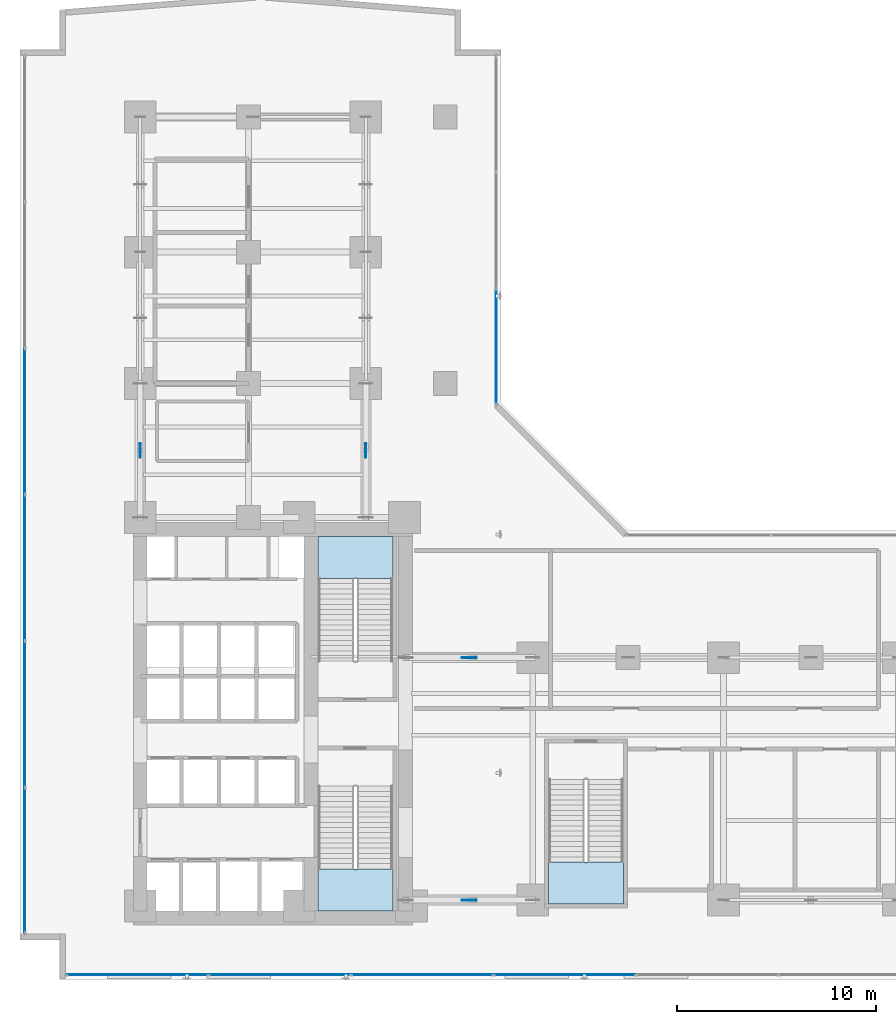
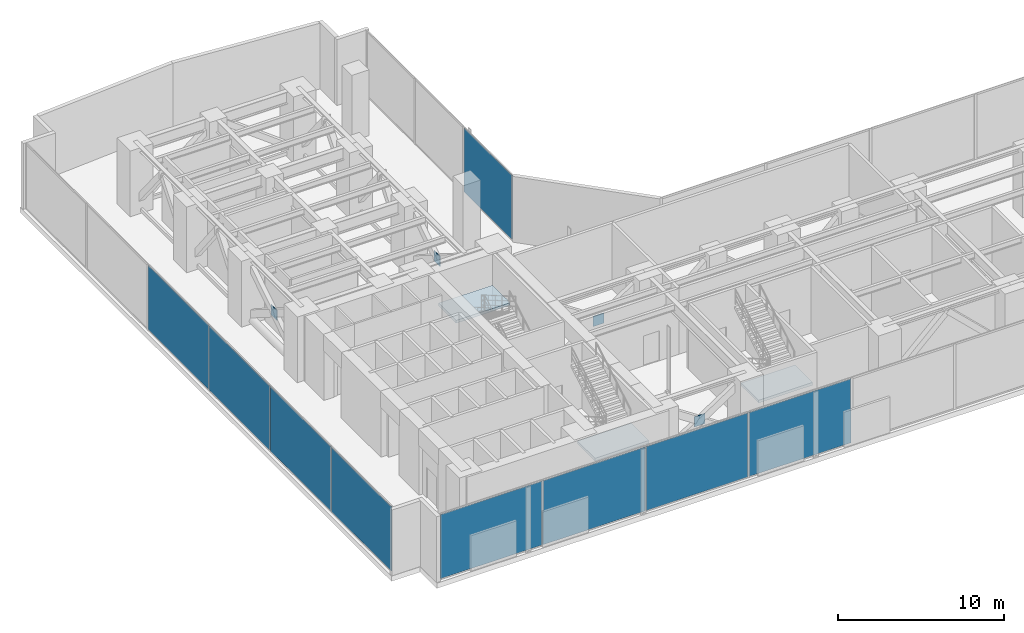
# One storey, part 27 of 36: 13 plates, 3 slabs, 6 elements without a shape of their own.
"""IFC4 building model written with IfcOpenShell, lengths in metres."""

from ifc_helpers import new_model, si_unit, direction, frame, origin, origin_with_axes, origin_2d, place, context, subcontext, project, spatial, polyline, rectangle, outline, extrude, source, transform, mapped, material, layer, layer_set, type_object, element, aggregate, save


model = new_model("IFC4")

# Units and contexts
model_context = context("Model", 3, precision=1e-05, world=origin(), true_north=direction((0.0, 1.0)))
body_context = subcontext(model_context, "Body", "Model", "MODEL_VIEW")
ifc_project = project(units=[si_unit("LENGTHUNIT", "METRE"), si_unit("AREAUNIT", "SQUARE_METRE"), si_unit("VOLUMEUNIT", "CUBIC_METRE"), si_unit("PLANEANGLEUNIT", "RADIAN"), si_unit("MASSUNIT", "GRAM", prefix="KILO")], contexts=[model_context])

# Site, building, storey
site_placement = place(None, origin())
site = spatial("IfcSite", under=ifc_project, at=site_placement, CompositionType="ELEMENT")
building_placement = place(site_placement, origin())
building = spatial("IfcBuilding", under=site, at=building_placement, Name="Kolvaren Waterfront Exchange", CompositionType="ELEMENT")
storey_placement = place(building_placement, frame((0.0, 0.0, 82.800048828125)))
storey = spatial("IfcBuildingStorey", under=building, at=storey_placement, Name="L21", CompositionType="ELEMENT", Elevation=82.800048828125)

# Stair, slab
ifc_material_1 = material(Name="Concrete C40/50", Category="concrete")
stair_type = type_object("IfcStairType", Name="ARC-STAIR-5100", PredefinedType="HALF_TURN_STAIR", material=ifc_material_1)
stair_1_placement = place(storey_placement, origin())
stair_1 = element("IfcStair", 1, at=stair_1_placement, inside=storey, type_object=stair_type, Name="L21 Smoke-proof exit stair ST1", PredefinedType="HALF_TURN_STAIR")
ifc_layer_1 = layer(ifc_material_1, 0.199951171875, Name="Concrete C40/50")
ifc_layer_set_1 = layer_set([ifc_layer_1], Name="Concrete C40/50")
slab_type = type_object("IfcSlabType", Name="STR-LANDING-200", PredefinedType="LANDING", material=ifc_layer_set_1)
slab_1_placement = place(storey_placement, frame((0.0, 0.0, 2.349853515625)))
slab_1 = element("IfcSlab", 2, at=slab_1_placement, type_object=slab_type, Name="ST1 landing 1", PredefinedType="LANDING", context=body_context, shape_type="SweptSolid", body=[
    extrude(outline(polyline([(16.39990234375, 6.77001953125), (16.39990234375, 4.64990234375), (20.159912109375, 4.64990234375), (20.159912109375, 6.77001953125), (16.39990234375, 6.77001953125)])), origin(), (0.0, 0.0, 1.0), 0.2001953125),
])
aggregate(stair_1, [slab_1])

stair_2_placement = place(storey_placement, origin())
stair_2 = element("IfcStair", 3, at=stair_2_placement, inside=storey, type_object=stair_type, Name="L21 Smoke-proof exit stair ST2", PredefinedType="HALF_TURN_STAIR")
slab_2_placement = place(storey_placement, frame((0.0, 0.0, 2.349853515625)))
slab_2 = element("IfcSlab", 4, at=slab_2_placement, type_object=slab_type, Name="ST2 landing 1", PredefinedType="LANDING", context=body_context, shape_type="SweptSolid", body=[
    extrude(outline(polyline([(20.159912109375, 21.3798828125), (20.159912109375, 23.5), (16.39990234375, 23.5), (16.39990234375, 21.3798828125), (20.159912109375, 21.3798828125)])), origin(), (0.0, 0.0, 1.0), 0.2001953125),
])
aggregate(stair_2, [slab_2])

stair_3_placement = place(storey_placement, origin())
stair_3 = element("IfcStair", 5, at=stair_3_placement, inside=storey, type_object=stair_type, Name="L21 Exit stair ST3", PredefinedType="HALF_TURN_STAIR")
slab_3_placement = place(storey_placement, frame((0.0, 0.0, 2.349853515625)))
slab_3 = element("IfcSlab", 6, at=slab_3_placement, type_object=slab_type, Name="ST3 landing 1", PredefinedType="LANDING", context=body_context, shape_type="SweptSolid", body=[
    extrude(outline(polyline([(28.0, 7.1201171875), (28.0, 5.0), (31.760009765625, 5.0), (31.760009765625, 7.1201171875), (28.0, 7.1201171875)])), origin(), (0.0, 0.0, 1.0), 0.2001953125),
])
aggregate(stair_3, [slab_3])

# Plates
ifc_material_2 = material(Name="Steel S460", Category="steel")
ifc_layer_2 = layer(ifc_material_2, 0.044921875, Name="Steel S460")
ifc_layer_set_2 = layer_set([ifc_layer_2], Name="Steel S460")
plate_type_1 = type_object("IfcPlateType", Name="STR-PL-ON1", PredefinedType="USERDEFINED", material=ifc_layer_set_2)
shared_shape_1 = source(origin_with_axes(), body_context, "Body", "SweptSolid", [
    extrude(rectangle(XDim=0.75, YDim=0.044921875, at=origin_2d()), origin(), (0.0, 0.0, 1.0), 0.75),
])
for number, where, z_axis, x_axis, name in (
    (7, (24.0, 5.199951171875, 1.994873046875), (0.0, 0.0, 1.0), (1.0, 0.0, 0.0), "L21 outrigger X-brace crossing gusset plate OA1"),
    (8, (24.0, 17.39990234375, 1.994873046875), (0.0, 0.0, 1.0), (1.0, 0.0, 0.0), "L21 outrigger X-brace crossing gusset plate OA2"),
):
    element("IfcPlate", number, at=place(storey_placement, frame(where, z_axis=z_axis, x_axis=x_axis)), inside=storey, type_object=plate_type_1, Name=name, ObjectType="GUSSET PLATE", PredefinedType="USERDEFINED", context=body_context, shape_type="MappedRepresentation", body=[
        mapped(shared_shape_1, transform((0.0, 0.0, 0.0), x_axis=(1.0, 0.0, 0.0), y_axis=(0.0, 1.0, 0.0), z_axis=(0.0, 0.0, 1.0), scale=1.0)),
    ])
shared_shape_2 = source(origin_with_axes(), body_context, "Body", "SweptSolid", [
    extrude(rectangle(XDim=0.044921875, YDim=0.75, at=origin_2d()), origin(), (0.0, 0.0, 1.0), 0.75),
])
for number, where, z_axis, x_axis, name in (
    (9, (7.449951171875, 27.824951171875, 1.994873046875), (0.0, 0.0, 1.0), (1.0, 0.0, 0.0), "L21 outrigger X-brace crossing gusset plate OA3"),
    (10, (18.800048828125, 27.824951171875, 1.994873046875), (0.0, 0.0, 1.0), (1.0, 0.0, 0.0), "L21 outrigger X-brace crossing gusset plate OA4"),
):
    element("IfcPlate", number, at=place(storey_placement, frame(where, z_axis=z_axis, x_axis=x_axis)), inside=storey, type_object=plate_type_1, Name=name, ObjectType="GUSSET PLATE", PredefinedType="USERDEFINED", context=body_context, shape_type="MappedRepresentation", body=[
        mapped(shared_shape_2, transform((0.0, 0.0, 0.0), x_axis=(1.0, 0.0, 0.0), y_axis=(0.0, 1.0, 0.0), z_axis=(0.0, 0.0, 1.0), scale=1.0)),
    ])

# Curtain wall, plates
ifc_material_3 = material(Name="Anodised dark bronze spandrel aluminium", Category="aluminium")
ifc_layer_3 = layer(ifc_material_3, 0.219970703125, Name="Anodised dark bronze spandrel aluminium")
ifc_layer_set_3 = layer_set([ifc_layer_3], Name="Anodised dark bronze spandrel aluminium")
curtain_wall_type = type_object("IfcCurtainWallType", Name="ARC-CW-SYS6", PredefinedType="USERDEFINED", material=ifc_layer_set_3)
curtain_wall_1_placement = place(storey_placement, origin())
curtain_wall_1 = element("IfcCurtainWall", 11, at=curtain_wall_1_placement, inside=storey, type_object=curtain_wall_type, Name="L21 stick curtain wall CW6 (CW-L21-S)", ObjectType="STICK CURTAIN WALL", PredefinedType="USERDEFINED")
ifc_layer_4 = layer(ifc_material_3, 0.0419921875, Name="Anodised dark bronze spandrel aluminium")
ifc_layer_set_4 = layer_set([ifc_layer_4], Name="Anodised dark bronze spandrel aluminium")
plate_type_2 = type_object("IfcPlateType", Name="ARC-CWP-42", PredefinedType="CURTAIN_PANEL", material=ifc_layer_set_4)
shared_shape_3 = source(origin_with_axes(), body_context, "Body", "SweptSolid", [
    extrude(rectangle(XDim=7.0625, YDim=0.0419921875, at=origin_2d()), origin(), (0.0, 0.0, 1.0), 4.7099609375),
])
plate_1_placement = place(storey_placement, frame((7.30615234375, 1.43994140625, 0.06494140625), z_axis=(0.0, 0.0, 1.0), x_axis=(1.0, 0.0, 0.0)))
plate_1 = element("IfcPlate", 12, at=plate_1_placement, type_object=plate_type_2, Name="CW6 panel 1.1", PredefinedType="CURTAIN_PANEL", context=body_context, shape_type="MappedRepresentation", body=[
    mapped(shared_shape_3, transform((0.0, 0.0, 0.0), x_axis=(1.0, 0.0, 0.0), y_axis=(0.0, 1.0, 0.0), z_axis=(0.0, 0.0, 1.0), scale=1.0)),
])
shared_shape_4 = source(origin_with_axes(), body_context, "Body", "SweptSolid", [
    extrude(rectangle(XDim=7.10009765625, YDim=0.0419921875, at=origin_2d()), origin(), (0.0, 0.0, 1.0), 4.7099609375),
])
plate_2_placement = place(storey_placement, frame((14.46240234375, 1.43994140625, 0.06494140625), z_axis=(0.0, 0.0, 1.0), x_axis=(1.0, 0.0, 0.0)))
plate_2 = element("IfcPlate", 13, at=plate_2_placement, type_object=plate_type_2, Name="CW6 panel 2.1", PredefinedType="CURTAIN_PANEL", context=body_context, shape_type="MappedRepresentation", body=[
    mapped(shared_shape_4, transform((0.0, 0.0, 0.0), x_axis=(1.0, 0.0, 0.0), y_axis=(0.0, 1.0, 0.0), z_axis=(0.0, 0.0, 1.0), scale=1.0)),
])
plate_3_placement = place(storey_placement, frame((21.637451171875, 1.43994140625, 0.06494140625), z_axis=(0.0, 0.0, 1.0), x_axis=(1.0, 0.0, 0.0)))
plate_3 = element("IfcPlate", 14, at=plate_3_placement, type_object=plate_type_2, Name="CW6 panel 3.1", PredefinedType="CURTAIN_PANEL", context=body_context, shape_type="MappedRepresentation", body=[
    mapped(shared_shape_4, transform((0.0, 0.0, 0.0), x_axis=(1.0, 0.0, 0.0), y_axis=(0.0, 1.0, 0.0), z_axis=(0.0, 0.0, 1.0), scale=1.0)),
])
plate_4_placement = place(storey_placement, frame((28.8125, 1.43994140625, 0.06494140625), z_axis=(0.0, 0.0, 1.0), x_axis=(1.0, 0.0, 0.0)))
plate_4 = element("IfcPlate", 15, at=plate_4_placement, type_object=plate_type_2, Name="CW6 panel 4.1", PredefinedType="CURTAIN_PANEL", context=body_context, shape_type="MappedRepresentation", body=[
    mapped(shared_shape_4, transform((0.0, 0.0, 0.0), x_axis=(1.0, 0.0, 0.0), y_axis=(0.0, 1.0, 0.0), z_axis=(0.0, 0.0, 1.0), scale=1.0)),
])
aggregate(curtain_wall_1, [plate_1, plate_2, plate_3, plate_4])

curtain_wall_2_placement = place(storey_placement, origin())
curtain_wall_2 = element("IfcCurtainWall", 16, at=curtain_wall_2_placement, inside=storey, type_object=curtain_wall_type, Name="L21 stick curtain wall CW6 (CW-L21-W)", ObjectType="STICK CURTAIN WALL", PredefinedType="USERDEFINED")
shared_shape_5 = source(origin_with_axes(), body_context, "Body", "SweptSolid", [
    extrude(rectangle(XDim=7.254150390625, YDim=0.0419921875, at=origin_2d()), origin(), (0.0, 0.0, 1.0), 4.7099609375),
])
plate_5_placement = place(storey_placement, frame((1.639892578125, 7.2021484375, 0.06494140625), z_axis=(0.0, 0.0, 1.0), x_axis=(0.0, 1.0, 0.0)))
plate_5 = element("IfcPlate", 17, at=plate_5_placement, type_object=plate_type_2, Name="CW6 panel 1.1", PredefinedType="CURTAIN_PANEL", context=body_context, shape_type="MappedRepresentation", body=[
    mapped(shared_shape_5, transform((0.0, 0.0, 0.0), x_axis=(1.0, 0.0, 0.0), y_axis=(0.0, 1.0, 0.0), z_axis=(0.0, 0.0, 1.0), scale=1.0)),
])
shared_shape_6 = source(origin_with_axes(), body_context, "Body", "SweptSolid", [
    extrude(rectangle(XDim=7.291748046875, YDim=0.0419921875, at=origin_2d()), origin(), (0.0, 0.0, 1.0), 4.7099609375),
])
plate_6_placement = place(storey_placement, frame((1.639892578125, 14.550048828125, 0.06494140625), z_axis=(0.0, 0.0, 1.0), x_axis=(0.0, 1.0, 0.0)))
plate_6 = element("IfcPlate", 18, at=plate_6_placement, type_object=plate_type_2, Name="CW6 panel 2.1", PredefinedType="CURTAIN_PANEL", context=body_context, shape_type="MappedRepresentation", body=[
    mapped(shared_shape_6, transform((0.0, 0.0, 0.0), x_axis=(1.0, 0.0, 0.0), y_axis=(0.0, 1.0, 0.0), z_axis=(0.0, 0.0, 1.0), scale=1.0)),
])
plate_7_placement = place(storey_placement, frame((1.639892578125, 21.916748046875, 0.06494140625), z_axis=(0.0, 0.0, 1.0), x_axis=(0.0, 1.0, 0.0)))
plate_7 = element("IfcPlate", 19, at=plate_7_placement, type_object=plate_type_2, Name="CW6 panel 3.1", PredefinedType="CURTAIN_PANEL", context=body_context, shape_type="MappedRepresentation", body=[
    mapped(shared_shape_6, transform((0.0, 0.0, 0.0), x_axis=(1.0, 0.0, 0.0), y_axis=(0.0, 1.0, 0.0), z_axis=(0.0, 0.0, 1.0), scale=1.0)),
])
plate_8_placement = place(storey_placement, frame((1.639892578125, 29.283447265625, 0.06494140625), z_axis=(0.0, 0.0, 1.0), x_axis=(0.0, 1.0, 0.0)))
plate_8 = element("IfcPlate", 20, at=plate_8_placement, type_object=plate_type_2, Name="CW6 panel 4.1", PredefinedType="CURTAIN_PANEL", context=body_context, shape_type="MappedRepresentation", body=[
    mapped(shared_shape_6, transform((0.0, 0.0, 0.0), x_axis=(1.0, 0.0, 0.0), y_axis=(0.0, 1.0, 0.0), z_axis=(0.0, 0.0, 1.0), scale=1.0)),
])
aggregate(curtain_wall_2, [plate_5, plate_6, plate_7, plate_8])

# Curtain wall, plate
curtain_wall_3_placement = place(storey_placement, origin())
curtain_wall_3 = element("IfcCurtainWall", 21, at=curtain_wall_3_placement, inside=storey, type_object=curtain_wall_type, Name="L21 stick curtain wall CW6 (CW-L21-NE)", ObjectType="STICK CURTAIN WALL", PredefinedType="USERDEFINED")
shared_shape_7 = source(origin_with_axes(), body_context, "Body", "SweptSolid", [
    extrude(rectangle(XDim=5.757568359375, YDim=0.0419921875, at=origin_2d()), origin(), (0.0, 0.0, 1.0), 4.7099609375),
])
plate_9_placement = place(storey_placement, frame((25.360107421875, 33.043701171875, 0.06494140625), z_axis=(0.0, 0.0, 1.0), x_axis=(0.0, 1.0, 0.0)))
plate_9 = element("IfcPlate", 22, at=plate_9_placement, type_object=plate_type_2, Name="CW6 panel 1.1", PredefinedType="CURTAIN_PANEL", context=body_context, shape_type="MappedRepresentation", body=[
    mapped(shared_shape_7, transform((0.0, 0.0, 0.0), x_axis=(1.0, 0.0, 0.0), y_axis=(0.0, 1.0, 0.0), z_axis=(0.0, 0.0, 1.0), scale=1.0)),
])
aggregate(curtain_wall_3, [plate_9])

save(model, "model.ifc")
